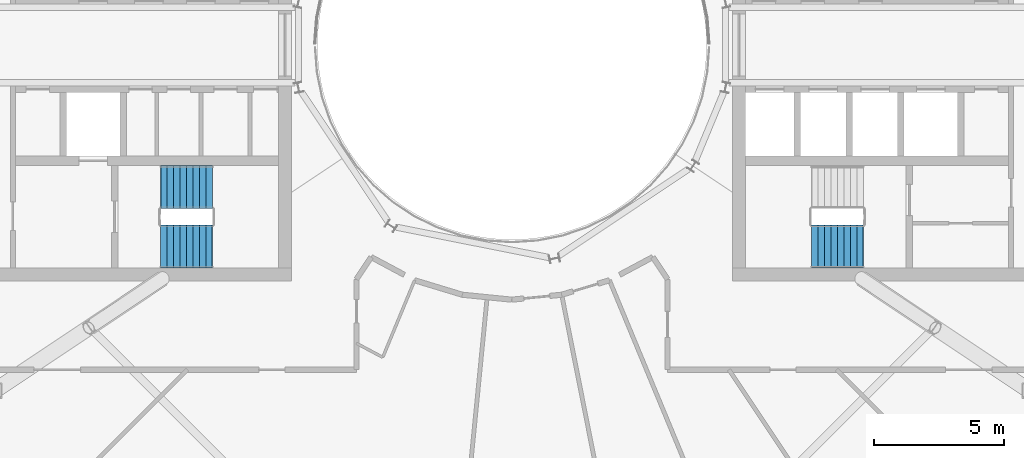
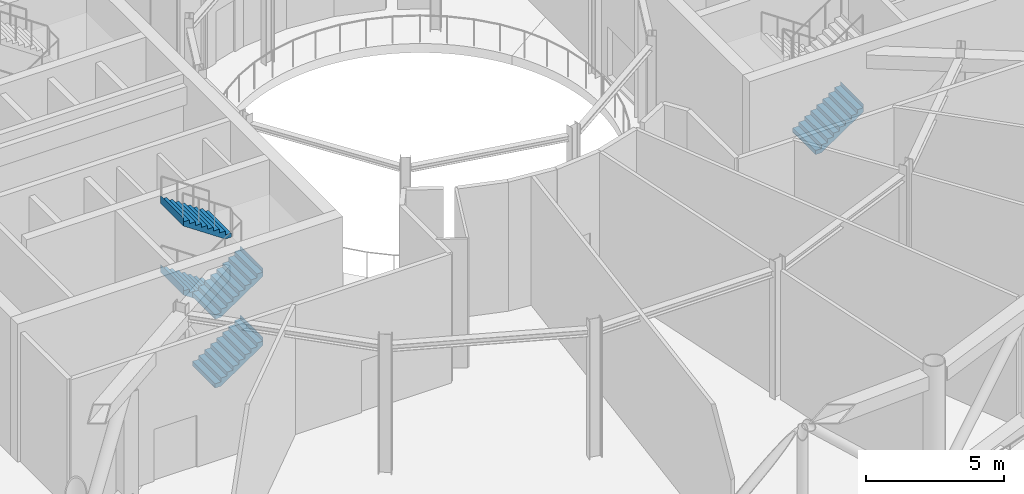
# One storey, part 16 of 24: 5 stair flights, 2 elements without a shape of their own.
"""IFC4 building model written with IfcOpenShell, lengths in metres."""

from ifc_helpers import new_model, si_unit, direction, frame, origin, place, context, subcontext, project, spatial, triangles, material, type_object, element, aggregate, save


model = new_model("IFC4")

# Units and contexts
model_context = context("Model", 3, precision=1e-05, world=origin(), true_north=direction((0.0, 1.0)))
body_context = subcontext(model_context, "Body", "Model", "MODEL_VIEW")
ifc_project = project(units=[si_unit("LENGTHUNIT", "METRE"), si_unit("AREAUNIT", "SQUARE_METRE"), si_unit("VOLUMEUNIT", "CUBIC_METRE"), si_unit("PLANEANGLEUNIT", "RADIAN"), si_unit("MASSUNIT", "GRAM", prefix="KILO")], contexts=[model_context])

# Site, building, storey
site_placement = place(None, origin())
site = spatial("IfcSite", under=ifc_project, at=site_placement, CompositionType="ELEMENT")
building_placement = place(site_placement, origin())
building = spatial("IfcBuilding", under=site, at=building_placement, Name="Maasbend Ring Residences", CompositionType="ELEMENT")
storey_placement = place(building_placement, frame((0.0, 0.0, 179.89990234375)))
storey = spatial("IfcBuildingStorey", under=building, at=storey_placement, Name="L52", CompositionType="ELEMENT", Elevation=179.89990234375)

# Stair, stair flight
ifc_material_1 = material(Name="Concrete C40/50", Category="concrete")
stair_type = type_object("IfcStairType", Name="CORE STAIR 36 RISERS", PredefinedType="HALF_TURN_STAIR", material=ifc_material_1)
stair_1_placement = place(storey_placement, origin())
stair_1 = element("IfcStair", 1, at=stair_1_placement, inside=storey, type_object=stair_type, Name="L52 Exit stair ST-E2", PredefinedType="HALF_TURN_STAIR")
ifc_material_2 = material(Name="Concrete C40/50", Category="concrete")
stair_flight_type = type_object("IfcStairFlightType", Name="CORE STAIR FLIGHT 1650", PredefinedType="STRAIGHT", material=ifc_material_2)
stair_flight_1_placement = place(storey_placement, frame((11.550048828125, -7.77490234375, 1.525146484375), z_axis=(0.0, 0.0, 1.0), x_axis=(1.0, 0.0, 0.0)))
stair_flight_1 = element("IfcStairFlight", 2, at=stair_flight_1_placement, type_object=stair_flight_type, Name="ST-E2 flight 2", NumberOfRisers=9, NumberOfTreads=8, PredefinedType="STRAIGHT", RiserHeight=0.169444444, TreadLength=0.25, context=body_context, shape_type="Tessellation", body=[
    triangles([(0.24072265625, 0.824951171875, -0.02001953125), (2.0029296875, 0.824951171875, 1.174560546875), (2.0029296875, 0.824951171875, 1.52490234375), (1.989990234375, 0.824951171875, 1.35546875), (1.75, 0.824951171875, 1.35546875), (1.75, 0.824951171875, 1.18603515625), (1.5, 0.824951171875, 1.18603515625), (1.5, 0.824951171875, 1.0166015625), (1.25, 0.824951171875, 1.0166015625), (1.25, 0.824951171875, 0.84716796875), (1.0, 0.824951171875, 0.84716796875), (1.0, 0.824951171875, 0.677734375), (0.75, 0.824951171875, 0.677734375), (0.75, 0.824951171875, 0.50830078125), (0.5, 0.824951171875, 0.50830078125), (0.5, 0.824951171875, 0.3388671875), (0.25, 0.824951171875, 0.3388671875), (0.25, 0.824951171875, 0.16943359375), (0.0, 0.824951171875, 0.16943359375), (0.0, 0.824951171875, 0.0), (-0.0029296875, 0.824951171875, 0.0), (-0.0029296875, 0.824951171875, -0.02001953125), (0.24072265625, 0.27490234375, -0.02001953125), (2.0029296875, 0.27490234375, 1.174560546875), (2.0029296875, 0.27490234375, 1.52490234375), (1.989990234375, 0.27490234375, 1.35546875), (1.75, 0.27490234375, 1.35546875), (1.75, 0.27490234375, 1.18603515625), (1.5, 0.27490234375, 1.18603515625), (1.5, 0.27490234375, 1.0166015625), (1.25, 0.27490234375, 1.0166015625), (1.25, 0.27490234375, 0.84716796875), (1.0, 0.27490234375, 0.84716796875), (1.0, 0.27490234375, 0.677734375), (0.75, 0.27490234375, 0.677734375), (0.75, 0.27490234375, 0.50830078125), (0.5, 0.27490234375, 0.50830078125), (0.5, 0.27490234375, 0.3388671875), (0.25, 0.27490234375, 0.3388671875), (0.25, 0.27490234375, 0.16943359375), (0.0, 0.27490234375, 0.16943359375), (0.0, 0.27490234375, 0.0), (-0.0029296875, 0.27490234375, 0.0), (-0.0029296875, 0.27490234375, -0.02001953125), (0.24072265625, -0.27490234375, -0.02001953125), (2.0029296875, -0.27490234375, 1.174560546875), (2.0029296875, -0.27490234375, 1.52490234375), (1.989990234375, -0.27490234375, 1.35546875), (1.75, -0.27490234375, 1.35546875), (1.75, -0.27490234375, 1.18603515625), (1.5, -0.27490234375, 1.18603515625), (1.5, -0.27490234375, 1.0166015625), (1.25, -0.27490234375, 1.0166015625), (1.25, -0.27490234375, 0.84716796875), (1.0, -0.27490234375, 0.84716796875), (1.0, -0.27490234375, 0.677734375), (0.75, -0.27490234375, 0.677734375), (0.75, -0.27490234375, 0.50830078125), (0.5, -0.27490234375, 0.50830078125), (0.5, -0.27490234375, 0.3388671875), (0.25, -0.27490234375, 0.3388671875), (0.25, -0.27490234375, 0.16943359375), (0.0, -0.27490234375, 0.16943359375), (0.0, -0.27490234375, 0.0), (-0.0029296875, -0.27490234375, 0.0), (-0.0029296875, -0.27490234375, -0.02001953125), (0.24072265625, -0.824951171875, -0.02001953125), (2.0029296875, -0.824951171875, 1.174560546875), (2.0029296875, -0.824951171875, 1.52490234375), (1.989990234375, -0.824951171875, 1.35546875), (1.75, -0.824951171875, 1.35546875), (1.75, -0.824951171875, 1.18603515625), (1.5, -0.824951171875, 1.18603515625), (1.5, -0.824951171875, 1.0166015625), (1.25, -0.824951171875, 1.0166015625), (1.25, -0.824951171875, 0.84716796875), (1.0, -0.824951171875, 0.84716796875), (1.0, -0.824951171875, 0.677734375), (0.75, -0.824951171875, 0.677734375), (0.75, -0.824951171875, 0.50830078125), (0.5, -0.824951171875, 0.50830078125), (0.5, -0.824951171875, 0.3388671875), (0.25, -0.824951171875, 0.3388671875), (0.25, -0.824951171875, 0.16943359375), (0.0, -0.824951171875, 0.16943359375), (0.0, -0.824951171875, 0.0), (-0.0029296875, -0.824951171875, 0.0), (-0.0029296875, -0.824951171875, -0.02001953125)], [[1, 2, 24], [1, 24, 23], [23, 24, 46], [23, 46, 45], [45, 46, 68], [45, 68, 67], [2, 3, 25], [2, 25, 24], [24, 25, 47], [24, 47, 46], [46, 47, 69], [46, 69, 68], [3, 4, 26], [3, 26, 25], [25, 26, 48], [25, 48, 47], [47, 48, 70], [47, 70, 69], [4, 5, 27], [4, 27, 26], [26, 27, 49], [26, 49, 48], [48, 49, 71], [48, 71, 70], [5, 6, 28], [5, 28, 27], [27, 28, 50], [27, 50, 49], [49, 50, 72], [49, 72, 71], [6, 7, 29], [6, 29, 28], [28, 29, 51], [28, 51, 50], [50, 51, 73], [50, 73, 72], [7, 8, 30], [7, 30, 29], [29, 30, 52], [29, 52, 51], [51, 52, 74], [51, 74, 73], [8, 9, 31], [8, 31, 30], [30, 31, 53], [30, 53, 52], [52, 53, 75], [52, 75, 74], [9, 10, 32], [9, 32, 31], [31, 32, 54], [31, 54, 53], [53, 54, 76], [53, 76, 75], [10, 11, 33], [10, 33, 32], [32, 33, 55], [32, 55, 54], [54, 55, 77], [54, 77, 76], [11, 12, 34], [11, 34, 33], [33, 34, 56], [33, 56, 55], [55, 56, 78], [55, 78, 77], [12, 13, 35], [12, 35, 34], [34, 35, 57], [34, 57, 56], [56, 57, 79], [56, 79, 78], [13, 14, 36], [13, 36, 35], [35, 36, 58], [35, 58, 57], [57, 58, 80], [57, 80, 79], [14, 15, 37], [14, 37, 36], [36, 37, 59], [36, 59, 58], [58, 59, 81], [58, 81, 80], [15, 16, 38], [15, 38, 37], [37, 38, 60], [37, 60, 59], [59, 60, 82], [59, 82, 81], [16, 17, 39], [16, 39, 38], [38, 39, 61], [38, 61, 60], [60, 61, 83], [60, 83, 82], [17, 18, 40], [17, 40, 39], [39, 40, 62], [39, 62, 61], [61, 62, 84], [61, 84, 83], [18, 19, 41], [18, 41, 40], [40, 41, 63], [40, 63, 62], [62, 63, 85], [62, 85, 84], [19, 20, 42], [19, 42, 41], [41, 42, 64], [41, 64, 63], [63, 64, 86], [63, 86, 85], [20, 21, 43], [20, 43, 42], [42, 43, 65], [42, 65, 64], [64, 65, 87], [64, 87, 86], [21, 22, 44], [21, 44, 43], [43, 44, 66], [43, 66, 65], [65, 66, 88], [65, 88, 87], [22, 1, 23], [22, 23, 44], [44, 23, 45], [44, 45, 66], [66, 45, 67], [66, 67, 88], [22, 2, 1], [2, 4, 3], [2, 5, 4], [2, 6, 5], [22, 6, 2], [6, 8, 7], [22, 8, 6], [8, 10, 9], [22, 10, 8], [10, 12, 11], [22, 12, 10], [12, 14, 13], [22, 14, 12], [14, 16, 15], [22, 16, 14], [16, 18, 17], [22, 18, 16], [18, 20, 19], [22, 20, 18], [20, 22, 21], [88, 67, 68], [68, 69, 70], [68, 70, 71], [68, 71, 72], [88, 68, 72], [72, 73, 74], [88, 72, 74], [74, 75, 76], [88, 74, 76], [76, 77, 78], [88, 76, 78], [78, 79, 80], [88, 78, 80], [80, 81, 82], [88, 80, 82], [82, 83, 84], [88, 82, 84], [84, 85, 86], [88, 84, 86], [86, 87, 88]], closed=True),
])
aggregate(stair_1, [stair_flight_1])

# Stair, stair flights
stair_2_placement = place(storey_placement, origin())
stair_2 = element("IfcStair", 3, at=stair_2_placement, inside=storey, type_object=stair_type, Name="L52 Exit stair ST-W1", PredefinedType="HALF_TURN_STAIR")
stair_flight_2_placement = place(storey_placement, frame((-13.550048828125, -7.77490234375, 0.0), z_axis=(0.0, 0.0, 1.0), x_axis=(1.0, 0.0, 0.0)))
stair_flight_2 = element("IfcStairFlight", 4, at=stair_flight_2_placement, type_object=stair_flight_type, Name="ST-W1 flight 1", NumberOfRisers=9, NumberOfTreads=8, PredefinedType="STRAIGHT", RiserHeight=0.169444444, TreadLength=0.25, context=body_context, shape_type="Tessellation", body=[
    triangles([(0.24072265625, 0.824951171875, -0.02001953125), (2.0029296875, 0.824951171875, 1.174560546875), (2.0029296875, 0.824951171875, 1.52490234375), (1.989990234375, 0.824951171875, 1.35546875), (1.75, 0.824951171875, 1.35546875), (1.75, 0.824951171875, 1.18603515625), (1.5, 0.824951171875, 1.18603515625), (1.5, 0.824951171875, 1.0166015625), (1.25, 0.824951171875, 1.0166015625), (1.25, 0.824951171875, 0.84716796875), (1.0, 0.824951171875, 0.84716796875), (1.0, 0.824951171875, 0.677734375), (0.75, 0.824951171875, 0.677734375), (0.75, 0.824951171875, 0.50830078125), (0.5, 0.824951171875, 0.50830078125), (0.5, 0.824951171875, 0.3388671875), (0.25, 0.824951171875, 0.3388671875), (0.25, 0.824951171875, 0.16943359375), (0.0, 0.824951171875, 0.16943359375), (0.0, 0.824951171875, 0.0), (-0.0029296875, 0.824951171875, 0.0), (-0.0029296875, 0.824951171875, -0.02001953125), (0.24072265625, 0.27490234375, -0.02001953125), (2.0029296875, 0.27490234375, 1.174560546875), (2.0029296875, 0.27490234375, 1.52490234375), (1.989990234375, 0.27490234375, 1.35546875), (1.75, 0.27490234375, 1.35546875), (1.75, 0.27490234375, 1.18603515625), (1.5, 0.27490234375, 1.18603515625), (1.5, 0.27490234375, 1.0166015625), (1.25, 0.27490234375, 1.0166015625), (1.25, 0.27490234375, 0.84716796875), (1.0, 0.27490234375, 0.84716796875), (1.0, 0.27490234375, 0.677734375), (0.75, 0.27490234375, 0.677734375), (0.75, 0.27490234375, 0.50830078125), (0.5, 0.27490234375, 0.50830078125), (0.5, 0.27490234375, 0.3388671875), (0.25, 0.27490234375, 0.3388671875), (0.25, 0.27490234375, 0.16943359375), (0.0, 0.27490234375, 0.16943359375), (0.0, 0.27490234375, 0.0), (-0.0029296875, 0.27490234375, 0.0), (-0.0029296875, 0.27490234375, -0.02001953125), (0.24072265625, -0.27490234375, -0.02001953125), (2.0029296875, -0.27490234375, 1.174560546875), (2.0029296875, -0.27490234375, 1.52490234375), (1.989990234375, -0.27490234375, 1.35546875), (1.75, -0.27490234375, 1.35546875), (1.75, -0.27490234375, 1.18603515625), (1.5, -0.27490234375, 1.18603515625), (1.5, -0.27490234375, 1.0166015625), (1.25, -0.27490234375, 1.0166015625), (1.25, -0.27490234375, 0.84716796875), (1.0, -0.27490234375, 0.84716796875), (1.0, -0.27490234375, 0.677734375), (0.75, -0.27490234375, 0.677734375), (0.75, -0.27490234375, 0.50830078125), (0.5, -0.27490234375, 0.50830078125), (0.5, -0.27490234375, 0.3388671875), (0.25, -0.27490234375, 0.3388671875), (0.25, -0.27490234375, 0.16943359375), (0.0, -0.27490234375, 0.16943359375), (0.0, -0.27490234375, 0.0), (-0.0029296875, -0.27490234375, 0.0), (-0.0029296875, -0.27490234375, -0.02001953125), (0.24072265625, -0.824951171875, -0.02001953125), (2.0029296875, -0.824951171875, 1.174560546875), (2.0029296875, -0.824951171875, 1.52490234375), (1.989990234375, -0.824951171875, 1.35546875), (1.75, -0.824951171875, 1.35546875), (1.75, -0.824951171875, 1.18603515625), (1.5, -0.824951171875, 1.18603515625), (1.5, -0.824951171875, 1.0166015625), (1.25, -0.824951171875, 1.0166015625), (1.25, -0.824951171875, 0.84716796875), (1.0, -0.824951171875, 0.84716796875), (1.0, -0.824951171875, 0.677734375), (0.75, -0.824951171875, 0.677734375), (0.75, -0.824951171875, 0.50830078125), (0.5, -0.824951171875, 0.50830078125), (0.5, -0.824951171875, 0.3388671875), (0.25, -0.824951171875, 0.3388671875), (0.25, -0.824951171875, 0.16943359375), (0.0, -0.824951171875, 0.16943359375), (0.0, -0.824951171875, 0.0), (-0.0029296875, -0.824951171875, 0.0), (-0.0029296875, -0.824951171875, -0.02001953125)], [[1, 2, 24], [1, 24, 23], [23, 24, 46], [23, 46, 45], [45, 46, 68], [45, 68, 67], [2, 3, 25], [2, 25, 24], [24, 25, 47], [24, 47, 46], [46, 47, 69], [46, 69, 68], [3, 4, 26], [3, 26, 25], [25, 26, 48], [25, 48, 47], [47, 48, 70], [47, 70, 69], [4, 5, 27], [4, 27, 26], [26, 27, 49], [26, 49, 48], [48, 49, 71], [48, 71, 70], [5, 6, 28], [5, 28, 27], [27, 28, 50], [27, 50, 49], [49, 50, 72], [49, 72, 71], [6, 7, 29], [6, 29, 28], [28, 29, 51], [28, 51, 50], [50, 51, 73], [50, 73, 72], [7, 8, 30], [7, 30, 29], [29, 30, 52], [29, 52, 51], [51, 52, 74], [51, 74, 73], [8, 9, 31], [8, 31, 30], [30, 31, 53], [30, 53, 52], [52, 53, 75], [52, 75, 74], [9, 10, 32], [9, 32, 31], [31, 32, 54], [31, 54, 53], [53, 54, 76], [53, 76, 75], [10, 11, 33], [10, 33, 32], [32, 33, 55], [32, 55, 54], [54, 55, 77], [54, 77, 76], [11, 12, 34], [11, 34, 33], [33, 34, 56], [33, 56, 55], [55, 56, 78], [55, 78, 77], [12, 13, 35], [12, 35, 34], [34, 35, 57], [34, 57, 56], [56, 57, 79], [56, 79, 78], [13, 14, 36], [13, 36, 35], [35, 36, 58], [35, 58, 57], [57, 58, 80], [57, 80, 79], [14, 15, 37], [14, 37, 36], [36, 37, 59], [36, 59, 58], [58, 59, 81], [58, 81, 80], [15, 16, 38], [15, 38, 37], [37, 38, 60], [37, 60, 59], [59, 60, 82], [59, 82, 81], [16, 17, 39], [16, 39, 38], [38, 39, 61], [38, 61, 60], [60, 61, 83], [60, 83, 82], [17, 18, 40], [17, 40, 39], [39, 40, 62], [39, 62, 61], [61, 62, 84], [61, 84, 83], [18, 19, 41], [18, 41, 40], [40, 41, 63], [40, 63, 62], [62, 63, 85], [62, 85, 84], [19, 20, 42], [19, 42, 41], [41, 42, 64], [41, 64, 63], [63, 64, 86], [63, 86, 85], [20, 21, 43], [20, 43, 42], [42, 43, 65], [42, 65, 64], [64, 65, 87], [64, 87, 86], [21, 22, 44], [21, 44, 43], [43, 44, 66], [43, 66, 65], [65, 66, 88], [65, 88, 87], [22, 1, 23], [22, 23, 44], [44, 23, 45], [44, 45, 66], [66, 45, 67], [66, 67, 88], [22, 2, 1], [2, 4, 3], [2, 5, 4], [2, 6, 5], [22, 6, 2], [6, 8, 7], [22, 8, 6], [8, 10, 9], [22, 10, 8], [10, 12, 11], [22, 12, 10], [12, 14, 13], [22, 14, 12], [14, 16, 15], [22, 16, 14], [16, 18, 17], [22, 18, 16], [18, 20, 19], [22, 20, 18], [20, 22, 21], [88, 67, 68], [68, 69, 70], [68, 70, 71], [68, 71, 72], [88, 68, 72], [72, 73, 74], [88, 72, 74], [74, 75, 76], [88, 74, 76], [76, 77, 78], [88, 76, 78], [78, 79, 80], [88, 78, 80], [80, 81, 82], [88, 80, 82], [82, 83, 84], [88, 82, 84], [84, 85, 86], [88, 84, 86], [86, 87, 88]], closed=True),
])
stair_flight_3_placement = place(storey_placement, frame((-11.550048828125, -5.47509765625, 1.525146484375), z_axis=(0.0, 0.0, 1.0), x_axis=(-1.0, 0.0, 0.0)))
stair_flight_3 = element("IfcStairFlight", 5, at=stair_flight_3_placement, type_object=stair_flight_type, Name="ST-W1 flight 2", NumberOfRisers=9, NumberOfTreads=8, PredefinedType="STRAIGHT", RiserHeight=0.169444444, TreadLength=0.25, context=body_context, shape_type="Tessellation", body=[
    triangles([(0.24072265625, 0.824951171875, -0.02001953125), (2.0029296875, 0.824951171875, 1.174560546875), (2.0029296875, 0.824951171875, 1.52490234375), (1.989990234375, 0.824951171875, 1.35546875), (1.75, 0.824951171875, 1.35546875), (1.75, 0.824951171875, 1.18603515625), (1.5, 0.824951171875, 1.18603515625), (1.5, 0.824951171875, 1.0166015625), (1.25, 0.824951171875, 1.0166015625), (1.25, 0.824951171875, 0.84716796875), (1.0, 0.824951171875, 0.84716796875), (1.0, 0.824951171875, 0.677734375), (0.75, 0.824951171875, 0.677734375), (0.75, 0.824951171875, 0.50830078125), (0.5, 0.824951171875, 0.50830078125), (0.5, 0.824951171875, 0.3388671875), (0.25, 0.824951171875, 0.3388671875), (0.25, 0.824951171875, 0.16943359375), (0.0, 0.824951171875, 0.16943359375), (0.0, 0.824951171875, 0.0), (-0.0029296875, 0.824951171875, 0.0), (-0.0029296875, 0.824951171875, -0.02001953125), (0.24072265625, 0.27490234375, -0.02001953125), (2.0029296875, 0.27490234375, 1.174560546875), (2.0029296875, 0.27490234375, 1.52490234375), (1.989990234375, 0.27490234375, 1.35546875), (1.75, 0.27490234375, 1.35546875), (1.75, 0.27490234375, 1.18603515625), (1.5, 0.27490234375, 1.18603515625), (1.5, 0.27490234375, 1.0166015625), (1.25, 0.27490234375, 1.0166015625), (1.25, 0.27490234375, 0.84716796875), (1.0, 0.27490234375, 0.84716796875), (1.0, 0.27490234375, 0.677734375), (0.75, 0.27490234375, 0.677734375), (0.75, 0.27490234375, 0.50830078125), (0.5, 0.27490234375, 0.50830078125), (0.5, 0.27490234375, 0.3388671875), (0.25, 0.27490234375, 0.3388671875), (0.25, 0.27490234375, 0.16943359375), (0.0, 0.27490234375, 0.16943359375), (0.0, 0.27490234375, 0.0), (-0.0029296875, 0.27490234375, 0.0), (-0.0029296875, 0.27490234375, -0.02001953125), (0.24072265625, -0.27490234375, -0.02001953125), (2.0029296875, -0.27490234375, 1.174560546875), (2.0029296875, -0.27490234375, 1.52490234375), (1.989990234375, -0.27490234375, 1.35546875), (1.75, -0.27490234375, 1.35546875), (1.75, -0.27490234375, 1.18603515625), (1.5, -0.27490234375, 1.18603515625), (1.5, -0.27490234375, 1.0166015625), (1.25, -0.27490234375, 1.0166015625), (1.25, -0.27490234375, 0.84716796875), (1.0, -0.27490234375, 0.84716796875), (1.0, -0.27490234375, 0.677734375), (0.75, -0.27490234375, 0.677734375), (0.75, -0.27490234375, 0.50830078125), (0.5, -0.27490234375, 0.50830078125), (0.5, -0.27490234375, 0.3388671875), (0.25, -0.27490234375, 0.3388671875), (0.25, -0.27490234375, 0.16943359375), (0.0, -0.27490234375, 0.16943359375), (0.0, -0.27490234375, 0.0), (-0.0029296875, -0.27490234375, 0.0), (-0.0029296875, -0.27490234375, -0.02001953125), (0.24072265625, -0.824951171875, -0.02001953125), (2.0029296875, -0.824951171875, 1.174560546875), (2.0029296875, -0.824951171875, 1.52490234375), (1.989990234375, -0.824951171875, 1.35546875), (1.75, -0.824951171875, 1.35546875), (1.75, -0.824951171875, 1.18603515625), (1.5, -0.824951171875, 1.18603515625), (1.5, -0.824951171875, 1.0166015625), (1.25, -0.824951171875, 1.0166015625), (1.25, -0.824951171875, 0.84716796875), (1.0, -0.824951171875, 0.84716796875), (1.0, -0.824951171875, 0.677734375), (0.75, -0.824951171875, 0.677734375), (0.75, -0.824951171875, 0.50830078125), (0.5, -0.824951171875, 0.50830078125), (0.5, -0.824951171875, 0.3388671875), (0.25, -0.824951171875, 0.3388671875), (0.25, -0.824951171875, 0.16943359375), (0.0, -0.824951171875, 0.16943359375), (0.0, -0.824951171875, 0.0), (-0.0029296875, -0.824951171875, 0.0), (-0.0029296875, -0.824951171875, -0.02001953125)], [[1, 2, 24], [1, 24, 23], [23, 24, 46], [23, 46, 45], [45, 46, 68], [45, 68, 67], [2, 3, 25], [2, 25, 24], [24, 25, 47], [24, 47, 46], [46, 47, 69], [46, 69, 68], [3, 4, 26], [3, 26, 25], [25, 26, 48], [25, 48, 47], [47, 48, 70], [47, 70, 69], [4, 5, 27], [4, 27, 26], [26, 27, 49], [26, 49, 48], [48, 49, 71], [48, 71, 70], [5, 6, 28], [5, 28, 27], [27, 28, 50], [27, 50, 49], [49, 50, 72], [49, 72, 71], [6, 7, 29], [6, 29, 28], [28, 29, 51], [28, 51, 50], [50, 51, 73], [50, 73, 72], [7, 8, 30], [7, 30, 29], [29, 30, 52], [29, 52, 51], [51, 52, 74], [51, 74, 73], [8, 9, 31], [8, 31, 30], [30, 31, 53], [30, 53, 52], [52, 53, 75], [52, 75, 74], [9, 10, 32], [9, 32, 31], [31, 32, 54], [31, 54, 53], [53, 54, 76], [53, 76, 75], [10, 11, 33], [10, 33, 32], [32, 33, 55], [32, 55, 54], [54, 55, 77], [54, 77, 76], [11, 12, 34], [11, 34, 33], [33, 34, 56], [33, 56, 55], [55, 56, 78], [55, 78, 77], [12, 13, 35], [12, 35, 34], [34, 35, 57], [34, 57, 56], [56, 57, 79], [56, 79, 78], [13, 14, 36], [13, 36, 35], [35, 36, 58], [35, 58, 57], [57, 58, 80], [57, 80, 79], [14, 15, 37], [14, 37, 36], [36, 37, 59], [36, 59, 58], [58, 59, 81], [58, 81, 80], [15, 16, 38], [15, 38, 37], [37, 38, 60], [37, 60, 59], [59, 60, 82], [59, 82, 81], [16, 17, 39], [16, 39, 38], [38, 39, 61], [38, 61, 60], [60, 61, 83], [60, 83, 82], [17, 18, 40], [17, 40, 39], [39, 40, 62], [39, 62, 61], [61, 62, 84], [61, 84, 83], [18, 19, 41], [18, 41, 40], [40, 41, 63], [40, 63, 62], [62, 63, 85], [62, 85, 84], [19, 20, 42], [19, 42, 41], [41, 42, 64], [41, 64, 63], [63, 64, 86], [63, 86, 85], [20, 21, 43], [20, 43, 42], [42, 43, 65], [42, 65, 64], [64, 65, 87], [64, 87, 86], [21, 22, 44], [21, 44, 43], [43, 44, 66], [43, 66, 65], [65, 66, 88], [65, 88, 87], [22, 1, 23], [22, 23, 44], [44, 23, 45], [44, 45, 66], [66, 45, 67], [66, 67, 88], [22, 2, 1], [2, 4, 3], [2, 5, 4], [2, 6, 5], [22, 6, 2], [6, 8, 7], [22, 8, 6], [8, 10, 9], [22, 10, 8], [10, 12, 11], [22, 12, 10], [12, 14, 13], [22, 14, 12], [14, 16, 15], [22, 16, 14], [16, 18, 17], [22, 18, 16], [18, 20, 19], [22, 20, 18], [20, 22, 21], [88, 67, 68], [68, 69, 70], [68, 70, 71], [68, 71, 72], [88, 68, 72], [72, 73, 74], [88, 72, 74], [74, 75, 76], [88, 74, 76], [76, 77, 78], [88, 76, 78], [78, 79, 80], [88, 78, 80], [80, 81, 82], [88, 80, 82], [82, 83, 84], [88, 82, 84], [84, 85, 86], [88, 84, 86], [86, 87, 88]], closed=True),
])
stair_flight_4_placement = place(storey_placement, frame((-13.550048828125, -7.77490234375, 3.050048828125), z_axis=(0.0, 0.0, 1.0), x_axis=(1.0, 0.0, 0.0)))
stair_flight_4 = element("IfcStairFlight", 6, at=stair_flight_4_placement, type_object=stair_flight_type, Name="ST-W1 flight 3", NumberOfRisers=9, NumberOfTreads=8, PredefinedType="STRAIGHT", RiserHeight=0.169444444, TreadLength=0.25, context=body_context, shape_type="Tessellation", body=[
    triangles([(0.24072265625, 0.824951171875, -0.02001953125), (2.0029296875, 0.824951171875, 1.174560546875), (2.0029296875, 0.824951171875, 1.52490234375), (1.989990234375, 0.824951171875, 1.35546875), (1.75, 0.824951171875, 1.35546875), (1.75, 0.824951171875, 1.18603515625), (1.5, 0.824951171875, 1.18603515625), (1.5, 0.824951171875, 1.0166015625), (1.25, 0.824951171875, 1.0166015625), (1.25, 0.824951171875, 0.84716796875), (1.0, 0.824951171875, 0.84716796875), (1.0, 0.824951171875, 0.677734375), (0.75, 0.824951171875, 0.677734375), (0.75, 0.824951171875, 0.50830078125), (0.5, 0.824951171875, 0.50830078125), (0.5, 0.824951171875, 0.3388671875), (0.25, 0.824951171875, 0.3388671875), (0.25, 0.824951171875, 0.16943359375), (0.0, 0.824951171875, 0.16943359375), (0.0, 0.824951171875, 0.0), (-0.0029296875, 0.824951171875, 0.0), (-0.0029296875, 0.824951171875, -0.02001953125), (0.24072265625, 0.27490234375, -0.02001953125), (2.0029296875, 0.27490234375, 1.174560546875), (2.0029296875, 0.27490234375, 1.52490234375), (1.989990234375, 0.27490234375, 1.35546875), (1.75, 0.27490234375, 1.35546875), (1.75, 0.27490234375, 1.18603515625), (1.5, 0.27490234375, 1.18603515625), (1.5, 0.27490234375, 1.0166015625), (1.25, 0.27490234375, 1.0166015625), (1.25, 0.27490234375, 0.84716796875), (1.0, 0.27490234375, 0.84716796875), (1.0, 0.27490234375, 0.677734375), (0.75, 0.27490234375, 0.677734375), (0.75, 0.27490234375, 0.50830078125), (0.5, 0.27490234375, 0.50830078125), (0.5, 0.27490234375, 0.3388671875), (0.25, 0.27490234375, 0.3388671875), (0.25, 0.27490234375, 0.16943359375), (0.0, 0.27490234375, 0.16943359375), (0.0, 0.27490234375, 0.0), (-0.0029296875, 0.27490234375, 0.0), (-0.0029296875, 0.27490234375, -0.02001953125), (0.24072265625, -0.27490234375, -0.02001953125), (2.0029296875, -0.27490234375, 1.174560546875), (2.0029296875, -0.27490234375, 1.52490234375), (1.989990234375, -0.27490234375, 1.35546875), (1.75, -0.27490234375, 1.35546875), (1.75, -0.27490234375, 1.18603515625), (1.5, -0.27490234375, 1.18603515625), (1.5, -0.27490234375, 1.0166015625), (1.25, -0.27490234375, 1.0166015625), (1.25, -0.27490234375, 0.84716796875), (1.0, -0.27490234375, 0.84716796875), (1.0, -0.27490234375, 0.677734375), (0.75, -0.27490234375, 0.677734375), (0.75, -0.27490234375, 0.50830078125), (0.5, -0.27490234375, 0.50830078125), (0.5, -0.27490234375, 0.3388671875), (0.25, -0.27490234375, 0.3388671875), (0.25, -0.27490234375, 0.16943359375), (0.0, -0.27490234375, 0.16943359375), (0.0, -0.27490234375, 0.0), (-0.0029296875, -0.27490234375, 0.0), (-0.0029296875, -0.27490234375, -0.02001953125), (0.24072265625, -0.824951171875, -0.02001953125), (2.0029296875, -0.824951171875, 1.174560546875), (2.0029296875, -0.824951171875, 1.52490234375), (1.989990234375, -0.824951171875, 1.35546875), (1.75, -0.824951171875, 1.35546875), (1.75, -0.824951171875, 1.18603515625), (1.5, -0.824951171875, 1.18603515625), (1.5, -0.824951171875, 1.0166015625), (1.25, -0.824951171875, 1.0166015625), (1.25, -0.824951171875, 0.84716796875), (1.0, -0.824951171875, 0.84716796875), (1.0, -0.824951171875, 0.677734375), (0.75, -0.824951171875, 0.677734375), (0.75, -0.824951171875, 0.50830078125), (0.5, -0.824951171875, 0.50830078125), (0.5, -0.824951171875, 0.3388671875), (0.25, -0.824951171875, 0.3388671875), (0.25, -0.824951171875, 0.16943359375), (0.0, -0.824951171875, 0.16943359375), (0.0, -0.824951171875, 0.0), (-0.0029296875, -0.824951171875, 0.0), (-0.0029296875, -0.824951171875, -0.02001953125)], [[1, 2, 24], [1, 24, 23], [23, 24, 46], [23, 46, 45], [45, 46, 68], [45, 68, 67], [2, 3, 25], [2, 25, 24], [24, 25, 47], [24, 47, 46], [46, 47, 69], [46, 69, 68], [3, 4, 26], [3, 26, 25], [25, 26, 48], [25, 48, 47], [47, 48, 70], [47, 70, 69], [4, 5, 27], [4, 27, 26], [26, 27, 49], [26, 49, 48], [48, 49, 71], [48, 71, 70], [5, 6, 28], [5, 28, 27], [27, 28, 50], [27, 50, 49], [49, 50, 72], [49, 72, 71], [6, 7, 29], [6, 29, 28], [28, 29, 51], [28, 51, 50], [50, 51, 73], [50, 73, 72], [7, 8, 30], [7, 30, 29], [29, 30, 52], [29, 52, 51], [51, 52, 74], [51, 74, 73], [8, 9, 31], [8, 31, 30], [30, 31, 53], [30, 53, 52], [52, 53, 75], [52, 75, 74], [9, 10, 32], [9, 32, 31], [31, 32, 54], [31, 54, 53], [53, 54, 76], [53, 76, 75], [10, 11, 33], [10, 33, 32], [32, 33, 55], [32, 55, 54], [54, 55, 77], [54, 77, 76], [11, 12, 34], [11, 34, 33], [33, 34, 56], [33, 56, 55], [55, 56, 78], [55, 78, 77], [12, 13, 35], [12, 35, 34], [34, 35, 57], [34, 57, 56], [56, 57, 79], [56, 79, 78], [13, 14, 36], [13, 36, 35], [35, 36, 58], [35, 58, 57], [57, 58, 80], [57, 80, 79], [14, 15, 37], [14, 37, 36], [36, 37, 59], [36, 59, 58], [58, 59, 81], [58, 81, 80], [15, 16, 38], [15, 38, 37], [37, 38, 60], [37, 60, 59], [59, 60, 82], [59, 82, 81], [16, 17, 39], [16, 39, 38], [38, 39, 61], [38, 61, 60], [60, 61, 83], [60, 83, 82], [17, 18, 40], [17, 40, 39], [39, 40, 62], [39, 62, 61], [61, 62, 84], [61, 84, 83], [18, 19, 41], [18, 41, 40], [40, 41, 63], [40, 63, 62], [62, 63, 85], [62, 85, 84], [19, 20, 42], [19, 42, 41], [41, 42, 64], [41, 64, 63], [63, 64, 86], [63, 86, 85], [20, 21, 43], [20, 43, 42], [42, 43, 65], [42, 65, 64], [64, 65, 87], [64, 87, 86], [21, 22, 44], [21, 44, 43], [43, 44, 66], [43, 66, 65], [65, 66, 88], [65, 88, 87], [22, 1, 23], [22, 23, 44], [44, 23, 45], [44, 45, 66], [66, 45, 67], [66, 67, 88], [22, 2, 1], [2, 4, 3], [2, 5, 4], [2, 6, 5], [22, 6, 2], [6, 8, 7], [22, 8, 6], [8, 10, 9], [22, 10, 8], [10, 12, 11], [22, 12, 10], [12, 14, 13], [22, 14, 12], [14, 16, 15], [22, 16, 14], [16, 18, 17], [22, 18, 16], [18, 20, 19], [22, 20, 18], [20, 22, 21], [88, 67, 68], [68, 69, 70], [68, 70, 71], [68, 71, 72], [88, 68, 72], [72, 73, 74], [88, 72, 74], [74, 75, 76], [88, 74, 76], [76, 77, 78], [88, 76, 78], [78, 79, 80], [88, 78, 80], [80, 81, 82], [88, 80, 82], [82, 83, 84], [88, 82, 84], [84, 85, 86], [88, 84, 86], [86, 87, 88]], closed=True),
])
stair_flight_5_placement = place(storey_placement, frame((-11.550048828125, -5.47509765625, 4.5751953125), z_axis=(0.0, 0.0, 1.0), x_axis=(-1.0, 0.0, 0.0)))
stair_flight_5 = element("IfcStairFlight", 7, at=stair_flight_5_placement, type_object=stair_flight_type, Name="ST-W1 flight 4", NumberOfRisers=9, NumberOfTreads=8, PredefinedType="STRAIGHT", RiserHeight=0.169444444, TreadLength=0.25, context=body_context, shape_type="Tessellation", body=[
    triangles([(0.24072265625, 0.824951171875, -0.02001953125), (2.0029296875, 0.824951171875, 1.174560546875), (2.0029296875, 0.824951171875, 1.52490234375), (1.989990234375, 0.824951171875, 1.35546875), (1.75, 0.824951171875, 1.35546875), (1.75, 0.824951171875, 1.18603515625), (1.5, 0.824951171875, 1.18603515625), (1.5, 0.824951171875, 1.0166015625), (1.25, 0.824951171875, 1.0166015625), (1.25, 0.824951171875, 0.84716796875), (1.0, 0.824951171875, 0.84716796875), (1.0, 0.824951171875, 0.677734375), (0.75, 0.824951171875, 0.677734375), (0.75, 0.824951171875, 0.50830078125), (0.5, 0.824951171875, 0.50830078125), (0.5, 0.824951171875, 0.3388671875), (0.25, 0.824951171875, 0.3388671875), (0.25, 0.824951171875, 0.16943359375), (0.0, 0.824951171875, 0.16943359375), (0.0, 0.824951171875, 0.0), (-0.0029296875, 0.824951171875, 0.0), (-0.0029296875, 0.824951171875, -0.02001953125), (0.24072265625, 0.27490234375, -0.02001953125), (2.0029296875, 0.27490234375, 1.174560546875), (2.0029296875, 0.27490234375, 1.52490234375), (1.989990234375, 0.27490234375, 1.35546875), (1.75, 0.27490234375, 1.35546875), (1.75, 0.27490234375, 1.18603515625), (1.5, 0.27490234375, 1.18603515625), (1.5, 0.27490234375, 1.0166015625), (1.25, 0.27490234375, 1.0166015625), (1.25, 0.27490234375, 0.84716796875), (1.0, 0.27490234375, 0.84716796875), (1.0, 0.27490234375, 0.677734375), (0.75, 0.27490234375, 0.677734375), (0.75, 0.27490234375, 0.50830078125), (0.5, 0.27490234375, 0.50830078125), (0.5, 0.27490234375, 0.3388671875), (0.25, 0.27490234375, 0.3388671875), (0.25, 0.27490234375, 0.16943359375), (0.0, 0.27490234375, 0.16943359375), (0.0, 0.27490234375, 0.0), (-0.0029296875, 0.27490234375, 0.0), (-0.0029296875, 0.27490234375, -0.02001953125), (0.24072265625, -0.27490234375, -0.02001953125), (2.0029296875, -0.27490234375, 1.174560546875), (2.0029296875, -0.27490234375, 1.52490234375), (1.989990234375, -0.27490234375, 1.35546875), (1.75, -0.27490234375, 1.35546875), (1.75, -0.27490234375, 1.18603515625), (1.5, -0.27490234375, 1.18603515625), (1.5, -0.27490234375, 1.0166015625), (1.25, -0.27490234375, 1.0166015625), (1.25, -0.27490234375, 0.84716796875), (1.0, -0.27490234375, 0.84716796875), (1.0, -0.27490234375, 0.677734375), (0.75, -0.27490234375, 0.677734375), (0.75, -0.27490234375, 0.50830078125), (0.5, -0.27490234375, 0.50830078125), (0.5, -0.27490234375, 0.3388671875), (0.25, -0.27490234375, 0.3388671875), (0.25, -0.27490234375, 0.16943359375), (0.0, -0.27490234375, 0.16943359375), (0.0, -0.27490234375, 0.0), (-0.0029296875, -0.27490234375, 0.0), (-0.0029296875, -0.27490234375, -0.02001953125), (0.24072265625, -0.824951171875, -0.02001953125), (2.0029296875, -0.824951171875, 1.174560546875), (2.0029296875, -0.824951171875, 1.52490234375), (1.989990234375, -0.824951171875, 1.35546875), (1.75, -0.824951171875, 1.35546875), (1.75, -0.824951171875, 1.18603515625), (1.5, -0.824951171875, 1.18603515625), (1.5, -0.824951171875, 1.0166015625), (1.25, -0.824951171875, 1.0166015625), (1.25, -0.824951171875, 0.84716796875), (1.0, -0.824951171875, 0.84716796875), (1.0, -0.824951171875, 0.677734375), (0.75, -0.824951171875, 0.677734375), (0.75, -0.824951171875, 0.50830078125), (0.5, -0.824951171875, 0.50830078125), (0.5, -0.824951171875, 0.3388671875), (0.25, -0.824951171875, 0.3388671875), (0.25, -0.824951171875, 0.16943359375), (0.0, -0.824951171875, 0.16943359375), (0.0, -0.824951171875, 0.0), (-0.0029296875, -0.824951171875, 0.0), (-0.0029296875, -0.824951171875, -0.02001953125)], [[1, 2, 24], [1, 24, 23], [23, 24, 46], [23, 46, 45], [45, 46, 68], [45, 68, 67], [2, 3, 25], [2, 25, 24], [24, 25, 47], [24, 47, 46], [46, 47, 69], [46, 69, 68], [3, 4, 26], [3, 26, 25], [25, 26, 48], [25, 48, 47], [47, 48, 70], [47, 70, 69], [4, 5, 27], [4, 27, 26], [26, 27, 49], [26, 49, 48], [48, 49, 71], [48, 71, 70], [5, 6, 28], [5, 28, 27], [27, 28, 50], [27, 50, 49], [49, 50, 72], [49, 72, 71], [6, 7, 29], [6, 29, 28], [28, 29, 51], [28, 51, 50], [50, 51, 73], [50, 73, 72], [7, 8, 30], [7, 30, 29], [29, 30, 52], [29, 52, 51], [51, 52, 74], [51, 74, 73], [8, 9, 31], [8, 31, 30], [30, 31, 53], [30, 53, 52], [52, 53, 75], [52, 75, 74], [9, 10, 32], [9, 32, 31], [31, 32, 54], [31, 54, 53], [53, 54, 76], [53, 76, 75], [10, 11, 33], [10, 33, 32], [32, 33, 55], [32, 55, 54], [54, 55, 77], [54, 77, 76], [11, 12, 34], [11, 34, 33], [33, 34, 56], [33, 56, 55], [55, 56, 78], [55, 78, 77], [12, 13, 35], [12, 35, 34], [34, 35, 57], [34, 57, 56], [56, 57, 79], [56, 79, 78], [13, 14, 36], [13, 36, 35], [35, 36, 58], [35, 58, 57], [57, 58, 80], [57, 80, 79], [14, 15, 37], [14, 37, 36], [36, 37, 59], [36, 59, 58], [58, 59, 81], [58, 81, 80], [15, 16, 38], [15, 38, 37], [37, 38, 60], [37, 60, 59], [59, 60, 82], [59, 82, 81], [16, 17, 39], [16, 39, 38], [38, 39, 61], [38, 61, 60], [60, 61, 83], [60, 83, 82], [17, 18, 40], [17, 40, 39], [39, 40, 62], [39, 62, 61], [61, 62, 84], [61, 84, 83], [18, 19, 41], [18, 41, 40], [40, 41, 63], [40, 63, 62], [62, 63, 85], [62, 85, 84], [19, 20, 42], [19, 42, 41], [41, 42, 64], [41, 64, 63], [63, 64, 86], [63, 86, 85], [20, 21, 43], [20, 43, 42], [42, 43, 65], [42, 65, 64], [64, 65, 87], [64, 87, 86], [21, 22, 44], [21, 44, 43], [43, 44, 66], [43, 66, 65], [65, 66, 88], [65, 88, 87], [22, 1, 23], [22, 23, 44], [44, 23, 45], [44, 45, 66], [66, 45, 67], [66, 67, 88], [22, 2, 1], [2, 4, 3], [2, 5, 4], [2, 6, 5], [22, 6, 2], [6, 8, 7], [22, 8, 6], [8, 10, 9], [22, 10, 8], [10, 12, 11], [22, 12, 10], [12, 14, 13], [22, 14, 12], [14, 16, 15], [22, 16, 14], [16, 18, 17], [22, 18, 16], [18, 20, 19], [22, 20, 18], [20, 22, 21], [88, 67, 68], [68, 69, 70], [68, 70, 71], [68, 71, 72], [88, 68, 72], [72, 73, 74], [88, 72, 74], [74, 75, 76], [88, 74, 76], [76, 77, 78], [88, 76, 78], [78, 79, 80], [88, 78, 80], [80, 81, 82], [88, 80, 82], [82, 83, 84], [88, 82, 84], [84, 85, 86], [88, 84, 86], [86, 87, 88]], closed=True),
])
aggregate(stair_2, [stair_flight_2, stair_flight_3, stair_flight_4, stair_flight_5])

save(model, "model.ifc")
